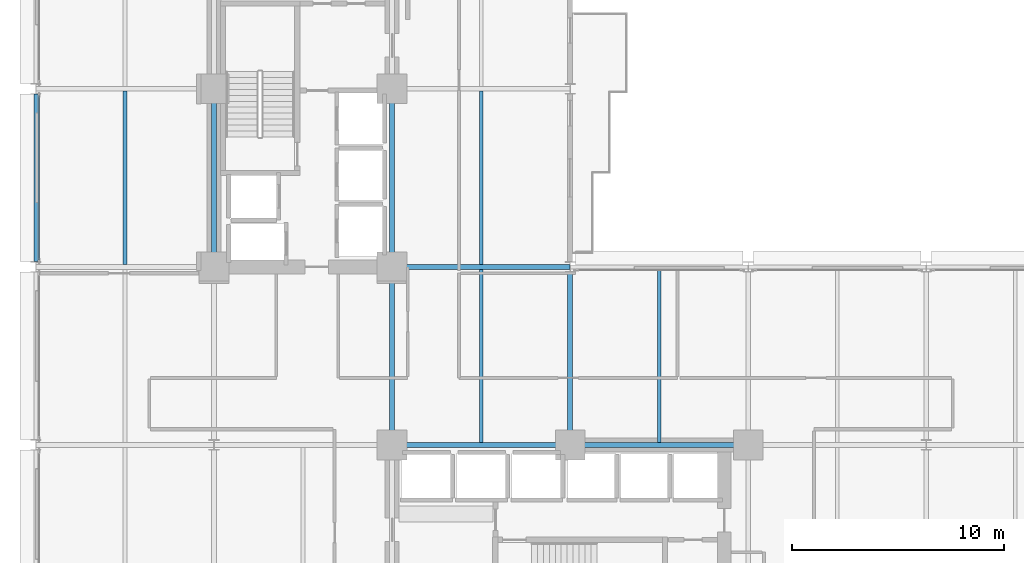
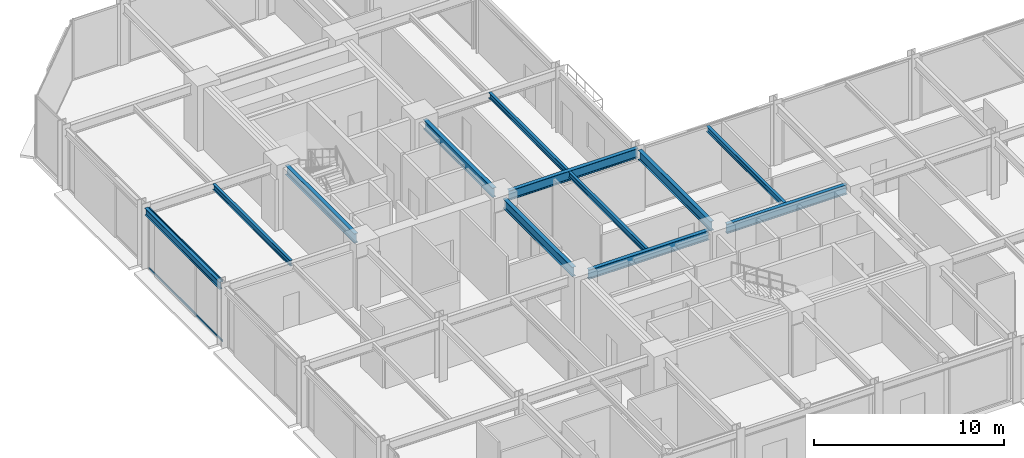
# One storey, part 7 of 25: 12 beams, 2 members, 1 element without a shape of its own.
"""IFC4 building model written with IfcOpenShell, lengths in metres."""

from ifc_helpers import new_model, si_unit, direction, frame, origin, origin_2d, place, context, subcontext, project, spatial, hollow_rectangle, i_section, extrude, material, layer, layer_set, material_profile, profile_set, type_object, element, aggregate, save


model = new_model("IFC4")

# Units and contexts
model_context = context("Model", 3, precision=1e-05, world=origin(), true_north=direction((0.0, 1.0)))
body_context = subcontext(model_context, "Body", "Model", "MODEL_VIEW")
ifc_project = project(units=[si_unit("LENGTHUNIT", "METRE"), si_unit("AREAUNIT", "SQUARE_METRE"), si_unit("VOLUMEUNIT", "CUBIC_METRE"), si_unit("PLANEANGLEUNIT", "RADIAN"), si_unit("MASSUNIT", "GRAM", prefix="KILO")], contexts=[model_context])

# Site, building, storey
site_placement = place(None, origin())
site = spatial("IfcSite", under=ifc_project, at=site_placement, CompositionType="ELEMENT")
building_placement = place(site_placement, origin())
building = spatial("IfcBuilding", under=site, at=building_placement, Name="Nerrivon Quay Data Exchange", CompositionType="ELEMENT")
storey_placement = place(building_placement, frame((0.0, 0.0, 41.60009765625)))
storey = spatial("IfcBuildingStorey", under=building, at=storey_placement, Name="L09", CompositionType="ELEMENT", Elevation=41.60009765625)

# Beams
ifc_material_1 = material(Name="Steel Grade 350", Category="steel")
ifc_material_profile_1 = material_profile(ifc_material_1, i_section(OverallWidth=0.22900390625, OverallDepth=0.612060546875, WebThickness=0.011962890625, FlangeThickness=0.01953125, FilletRadius=0.013916015625, at=origin_2d()), Name="610UB125")
ifc_profile_set_1 = profile_set([ifc_material_profile_1], Name="Steel Grade 350")
beam_type_1 = type_object("IfcBeamType", Name="BM-G1-610UB125", PredefinedType="BEAM", material=ifc_profile_set_1)
beam_1_placement = place(storey_placement, frame((17.340087890625, 16.800048828125, 3.618896484375), z_axis=(1.0, 0.0, 0.0), x_axis=(0.0, 1.0, 0.0)))
element("IfcBeam", 1, at=beam_1_placement, inside=storey, type_object=beam_type_1, Name="L09 EW Girder Y=16.8 (16.8..25.2)", PredefinedType="BEAM", context=body_context, shape_type="SweptSolid", body=[
    extrude(i_section(OverallWidth=0.22900390625, OverallDepth=0.612060546875, WebThickness=0.011962890625, FlangeThickness=0.01953125, FilletRadius=0.013916015625, at=origin_2d()), origin(), (0.0, 0.0, 1.0), 7.31982421875),
])
beam_2_placement = place(storey_placement, frame((25.739990234375, 16.800048828125, 3.618896484375), z_axis=(1.0, 0.0, 0.0), x_axis=(0.0, 1.0, 0.0)))
element("IfcBeam", 2, at=beam_2_placement, inside=storey, type_object=beam_type_1, Name="L09 EW Girder Y=16.8 (25.2..33.6)", PredefinedType="BEAM", context=body_context, shape_type="SweptSolid", body=[
    extrude(i_section(OverallWidth=0.22900390625, OverallDepth=0.612060546875, WebThickness=0.011962890625, FlangeThickness=0.01953125, FilletRadius=0.013916015625, at=origin_2d()), origin(), (0.0, 0.0, 1.0), 7.320068359375),
])
beam_3_placement = place(storey_placement, frame((17.340087890625, 25.199951171875, 3.618896484375), z_axis=(1.0, 0.0, 0.0), x_axis=(0.0, 1.0, 0.0)))
element("IfcBeam", 3, at=beam_3_placement, inside=storey, type_object=beam_type_1, Name="L09 EW Girder Y=25.2 (16.8..25.2)", PredefinedType="BEAM", context=body_context, shape_type="SweptSolid", body=[
    extrude(i_section(OverallWidth=0.22900390625, OverallDepth=0.612060546875, WebThickness=0.011962890625, FlangeThickness=0.01953125, FilletRadius=0.013916015625, at=origin_2d()), origin(), (0.0, 0.0, 1.0), 7.845947265625),
])
ifc_material_profile_2 = material_profile(ifc_material_1, i_section(OverallWidth=0.22802734375, OverallDepth=0.60205078125, WebThickness=0.010498046875, FlangeThickness=0.014892578125, FilletRadius=0.013916015625, at=origin_2d()), Name="610UB101")
ifc_profile_set_2 = profile_set([ifc_material_profile_2], Name="Steel Grade 350")
beam_type_2 = type_object("IfcBeamType", Name="BM-G2-610UB101", PredefinedType="BEAM", material=ifc_profile_set_2)
beam_4_placement = place(storey_placement, frame((8.39990234375, 25.739990234375, 3.6240234375), z_axis=(0.0, 1.0, 0.0), x_axis=(-1.0, 0.0, 0.0)))
element("IfcBeam", 4, at=beam_4_placement, inside=storey, type_object=beam_type_2, Name="L09 NS Girder X=8.4 (25.2..33.6)", PredefinedType="BEAM", context=body_context, shape_type="SweptSolid", body=[
    extrude(i_section(OverallWidth=0.22802734375, OverallDepth=0.60205078125, WebThickness=0.010498046875, FlangeThickness=0.014892578125, FilletRadius=0.013916015625, at=origin_2d()), origin(), (0.0, 0.0, 1.0), 7.320068359375),
])
beam_5_placement = place(storey_placement, frame((16.800048828125, 17.340087890625, 3.6240234375), z_axis=(0.0, 1.0, 0.0), x_axis=(-1.0, 0.0, 0.0)))
element("IfcBeam", 5, at=beam_5_placement, inside=storey, type_object=beam_type_2, Name="L09 NS Girder X=16.8 (16.8..25.2)", PredefinedType="BEAM", context=body_context, shape_type="SweptSolid", body=[
    extrude(i_section(OverallWidth=0.22802734375, OverallDepth=0.60205078125, WebThickness=0.010498046875, FlangeThickness=0.014892578125, FilletRadius=0.013916015625, at=origin_2d()), origin(), (0.0, 0.0, 1.0), 7.31982421875),
])
beam_6_placement = place(storey_placement, frame((16.800048828125, 25.739990234375, 3.6240234375), z_axis=(0.0, 1.0, 0.0), x_axis=(-1.0, 0.0, 0.0)))
element("IfcBeam", 6, at=beam_6_placement, inside=storey, type_object=beam_type_2, Name="L09 NS Girder X=16.8 (25.2..33.6)", PredefinedType="BEAM", context=body_context, shape_type="SweptSolid", body=[
    extrude(i_section(OverallWidth=0.22802734375, OverallDepth=0.60205078125, WebThickness=0.010498046875, FlangeThickness=0.014892578125, FilletRadius=0.013916015625, at=origin_2d()), origin(), (0.0, 0.0, 1.0), 7.320068359375),
])
beam_7_placement = place(storey_placement, frame((25.199951171875, 17.340087890625, 3.6240234375), z_axis=(0.0, 1.0, 0.0), x_axis=(-1.0, 0.0, 0.0)))
element("IfcBeam", 7, at=beam_7_placement, inside=storey, type_object=beam_type_2, Name="L09 NS Girder X=25.2 (16.8..25.2)", PredefinedType="BEAM", context=body_context, shape_type="SweptSolid", body=[
    extrude(i_section(OverallWidth=0.22802734375, OverallDepth=0.60205078125, WebThickness=0.010498046875, FlangeThickness=0.014892578125, FilletRadius=0.013916015625, at=origin_2d()), origin(), (0.0, 0.0, 1.0), 7.60986328125),
])
ifc_material_profile_3 = material_profile(ifc_material_1, i_section(OverallWidth=0.172119140625, OverallDepth=0.35888671875, WebThickness=0.008056640625, FlangeThickness=0.012939453125, FilletRadius=0.011474609375, at=origin_2d()), Name="360UB56.7")
ifc_profile_set_3 = profile_set([ifc_material_profile_3], Name="Steel Grade 350")
beam_type_3 = type_object("IfcBeamType", Name="BM-J3-360UB57", PredefinedType="JOIST", material=ifc_profile_set_3)
beam_8_placement = place(storey_placement, frame((4.199951171875, 25.314453125, 3.745361328125), z_axis=(0.0, 1.0, 0.0), x_axis=(-1.0, 0.0, 0.0)))
element("IfcBeam", 8, at=beam_8_placement, inside=storey, type_object=beam_type_3, Name="L09 Secondary Joist X=4.2 (25.2..33.6)", PredefinedType="JOIST", context=body_context, shape_type="SweptSolid", body=[
    extrude(i_section(OverallWidth=0.172119140625, OverallDepth=0.35888671875, WebThickness=0.008056640625, FlangeThickness=0.012939453125, FilletRadius=0.011474609375, at=origin_2d()), origin(), (0.0, 0.0, 1.0), 8.171142578125),
])
beam_9_placement = place(storey_placement, frame((21.0, 16.91455078125, 3.745361328125), z_axis=(0.0, 1.0, 0.0), x_axis=(-1.0, 0.0, 0.0)))
element("IfcBeam", 9, at=beam_9_placement, inside=storey, type_object=beam_type_3, Name="L09 Secondary Joist X=21.0 (16.8..25.2)", PredefinedType="JOIST", context=body_context, shape_type="SweptSolid", body=[
    extrude(i_section(OverallWidth=0.172119140625, OverallDepth=0.35888671875, WebThickness=0.008056640625, FlangeThickness=0.012939453125, FilletRadius=0.011474609375, at=origin_2d()), origin(), (0.0, 0.0, 1.0), 8.1708984375),
])
beam_10_placement = place(storey_placement, frame((21.0, 25.314453125, 3.745361328125), z_axis=(0.0, 1.0, 0.0), x_axis=(-1.0, 0.0, 0.0)))
element("IfcBeam", 10, at=beam_10_placement, inside=storey, type_object=beam_type_3, Name="L09 Secondary Joist X=21.0 (25.2..33.6)", PredefinedType="JOIST", context=body_context, shape_type="SweptSolid", body=[
    extrude(i_section(OverallWidth=0.172119140625, OverallDepth=0.35888671875, WebThickness=0.008056640625, FlangeThickness=0.012939453125, FilletRadius=0.011474609375, at=origin_2d()), origin(), (0.0, 0.0, 1.0), 8.171142578125),
])
beam_11_placement = place(storey_placement, frame((29.39990234375, 16.91455078125, 3.745361328125), z_axis=(0.0, 1.0, 0.0), x_axis=(-1.0, 0.0, 0.0)))
element("IfcBeam", 11, at=beam_11_placement, inside=storey, type_object=beam_type_3, Name="L09 Secondary Joist X=29.4 (16.8..25.2)", PredefinedType="JOIST", context=body_context, shape_type="SweptSolid", body=[
    extrude(i_section(OverallWidth=0.172119140625, OverallDepth=0.35888671875, WebThickness=0.008056640625, FlangeThickness=0.012939453125, FilletRadius=0.011474609375, at=origin_2d()), origin(), (0.0, 0.0, 1.0), 8.1904296875),
])
ifc_material_profile_4 = material_profile(ifc_material_1, i_section(OverallWidth=0.18994140625, OverallDepth=0.4541015625, WebThickness=0.008544921875, FlangeThickness=0.0126953125, FilletRadius=0.011474609375, at=origin_2d()), Name="460UB67.1")
ifc_profile_set_4 = profile_set([ifc_material_profile_4], Name="Steel Grade 350")
beam_type_4 = type_object("IfcBeamType", Name="BM-SP1-460UB67", PredefinedType="SPANDREL", material=ifc_profile_set_4)
beam_12_placement = place(storey_placement, frame((0.0, 25.449951171875, 3.697998046875), z_axis=(0.0, 1.0, 0.0), x_axis=(-1.0, 0.0, 0.0)))
element("IfcBeam", 12, at=beam_12_placement, inside=storey, type_object=beam_type_4, Name="L09 NS Girder X=0.0 (25.2..33.6)", PredefinedType="SPANDREL", context=body_context, shape_type="SweptSolid", body=[
    extrude(i_section(OverallWidth=0.18994140625, OverallDepth=0.4541015625, WebThickness=0.008544921875, FlangeThickness=0.0126953125, FilletRadius=0.011474609375, at=origin_2d()), origin(), (0.0, 0.0, 1.0), 7.900146484375),
])

# Curtain wall, members
ifc_material_2 = material(Name="Anodised aluminium 6063-T6", Category="aluminium")
ifc_layer = layer(ifc_material_2, 0.219970703125)
ifc_layer_set = layer_set([ifc_layer], Name="Anodised aluminium 6063-T6")
curtain_wall_type = type_object("IfcCurtainWallType", Name="CW-SYS-01", PredefinedType="NOTDEFINED", material=ifc_layer_set)
curtain_wall_placement = place(storey_placement, origin())
curtain_wall = element("IfcCurtainWall", 13, at=curtain_wall_placement, inside=storey, type_object=curtain_wall_type, Name="L09 Unitised Curtain Wall 16", PredefinedType="NOTDEFINED")
ifc_material_profile_5 = material_profile(ifc_material_2, hollow_rectangle(XDim=0.06005859375, YDim=0.1201171875, WallThickness=0.003173828125, at=origin_2d()), Name="ALU-TRAN-120x60")
ifc_profile_set_5 = profile_set([ifc_material_profile_5], Name="Anodised aluminium 6063-T6")
member_type = type_object("IfcMemberType", Name="CWT-120x60", PredefinedType="USERDEFINED", material=ifc_profile_set_5)
member_1_placement = place(storey_placement, frame((0.139892578125, 25.52490234375, 0.032470703125), z_axis=(0.0, 1.0, 0.0), x_axis=(-1.0, 0.0, 0.0)))
member_1 = element("IfcMember", 14, at=member_1_placement, type_object=member_type, Name="CW01 transom 1.1", ObjectType="TRANSOM", PredefinedType="USERDEFINED", context=body_context, shape_type="SweptSolid", body=[
    extrude(hollow_rectangle(XDim=0.06005859375, YDim=0.1201171875, WallThickness=0.003173828125, at=origin_2d()), origin(), (0.0, 0.0, 1.0), 7.75),
])
member_2_placement = place(storey_placement, frame((0.139892578125, 25.52490234375, 3.892333984375), z_axis=(0.0, 1.0, 0.0), x_axis=(-1.0, 0.0, 0.0)))
member_2 = element("IfcMember", 15, at=member_2_placement, type_object=member_type, Name="CW01 transom 1.2", ObjectType="TRANSOM", PredefinedType="USERDEFINED", context=body_context, shape_type="SweptSolid", body=[
    extrude(hollow_rectangle(XDim=0.06005859375, YDim=0.1201171875, WallThickness=0.003173828125, at=origin_2d()), origin(), (0.0, 0.0, 1.0), 7.75),
])
aggregate(curtain_wall, [member_1, member_2])

save(model, "model.ifc")
